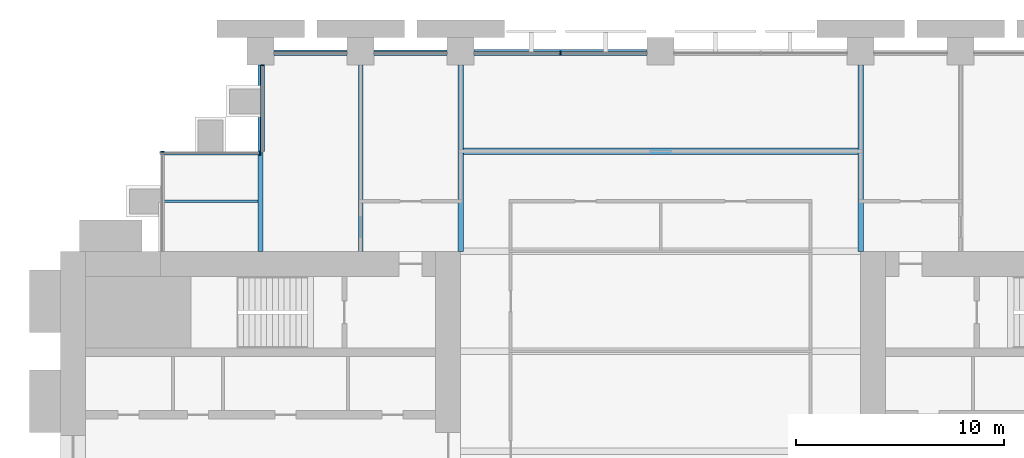
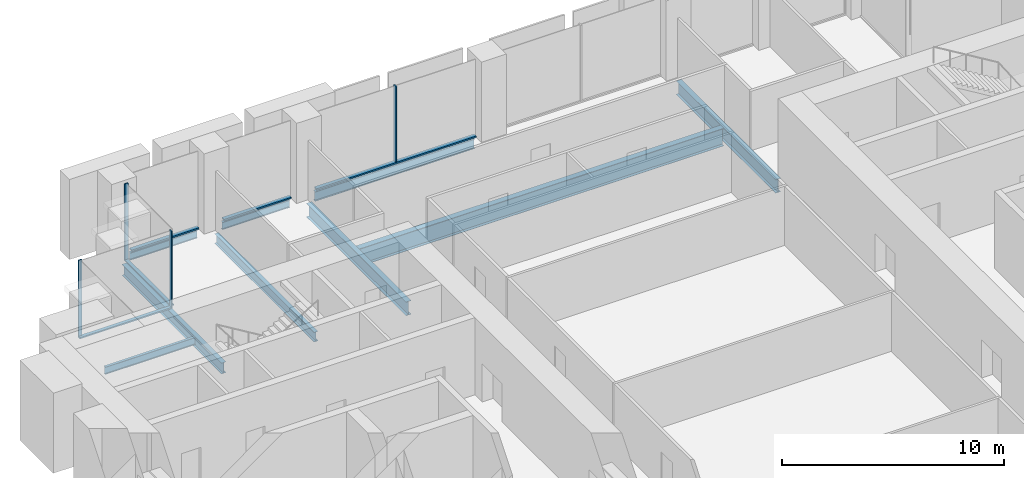
# One storey, part 6 of 14: 9 beams, 9 members, 4 elements without a shape of their own.
"""IFC4 building model written with IfcOpenShell, lengths in metres."""

from ifc_helpers import new_model, si_unit, direction, frame, origin, origin_2d, place, context, subcontext, project, spatial, rectangle, i_section, extrude, material, material_profile, profile_set, type_object, element, aggregate, save


model = new_model("IFC4")

# Units and contexts
model_context = context("Model", 3, precision=1e-05, world=origin(), true_north=direction((0.0, 1.0)))
body_context = subcontext(model_context, "Body", "Model", "MODEL_VIEW")
ifc_project = project(units=[si_unit("LENGTHUNIT", "METRE"), si_unit("AREAUNIT", "SQUARE_METRE"), si_unit("VOLUMEUNIT", "CUBIC_METRE"), si_unit("PLANEANGLEUNIT", "RADIAN"), si_unit("MASSUNIT", "GRAM", prefix="KILO")], contexts=[model_context])

# Site, building, storey
site_placement = place(None, origin())
site = spatial("IfcSite", under=ifc_project, at=site_placement, CompositionType="ELEMENT")
building_placement = place(site_placement, origin())
building = spatial("IfcBuilding", under=site, at=building_placement, Name="Baori Bourse Tower", CompositionType="ELEMENT")
storey_placement = place(building_placement, frame((0.0, 0.0, 30.199951171875)))
storey = spatial("IfcBuildingStorey", under=building, at=storey_placement, Name="L05", CompositionType="ELEMENT", Elevation=30.199951171875)

# Curtain wall, members
ifc_material_1 = material(Name="Pale anodised aluminium", Category="aluminium")
curtain_wall_type_1 = type_object("IfcCurtainWallType", Name="CW1 Curtain wall", PredefinedType="NOTDEFINED", material=ifc_material_1)
curtain_wall_1_placement = place(storey_placement, origin())
curtain_wall_1 = element("IfcCurtainWall", 1, at=curtain_wall_1_placement, inside=storey, type_object=curtain_wall_type_1, Name="Curtain wall CW1 L05 4", PredefinedType="NOTDEFINED")
ifc_material_2 = material(Name="Pale anodised aluminium", Category="aluminium")
ifc_material_profile_1 = material_profile(ifc_material_2, rectangle(XDim=0.199951171875, YDim=0.06005859375, at=origin_2d()), Name="Mullion 60x200")
ifc_profile_set_1 = profile_set([ifc_material_profile_1], Name="Pale anodised aluminium")
member_type_1 = type_object("IfcMemberType", Name="CW1 Curtain wall mullion", PredefinedType="MULLION", material=ifc_profile_set_1)
member_1_placement = place(storey_placement, frame((24.0, 47.89990234375, 0.080078125), z_axis=(0.0, 0.0, 1.0), x_axis=(0.0, -1.0, 0.0)))
member_1 = element("IfcMember", 2, at=member_1_placement, type_object=member_type_1, Name="Curtain wall CW1 mullion", PredefinedType="MULLION", context=body_context, shape_type="SweptSolid", body=[
    extrude(rectangle(XDim=0.199951171875, YDim=0.06005859375, at=origin_2d()), origin(), (0.0, 0.0, 1.0), 4.159912109375),
])
ifc_material_3 = material(Name="Pale anodised aluminium", Category="aluminium")
ifc_material_profile_2 = material_profile(ifc_material_3, rectangle(XDim=0.199951171875, YDim=0.080078125, at=origin_2d()), Name="Transom 80x200")
ifc_profile_set_2 = profile_set([ifc_material_profile_2], Name="Pale anodised aluminium")
member_type_2 = type_object("IfcMemberType", Name="CW1 Curtain wall transom", PredefinedType="USERDEFINED", material=ifc_profile_set_2)
member_2_placement = place(storey_placement, frame((28.14990234375, 47.89990234375, 0.0400390625), z_axis=(-1.0, 0.0, 0.0), x_axis=(0.0, -1.0, 0.0)))
member_2 = element("IfcMember", 3, at=member_2_placement, type_object=member_type_2, Name="Curtain wall CW1 sill rail", ObjectType="TRANSOM", PredefinedType="USERDEFINED", context=body_context, shape_type="SweptSolid", body=[
    extrude(rectangle(XDim=0.199951171875, YDim=0.080078125, at=origin_2d()), origin(), (0.0, 0.0, 1.0), 8.2998046875),
])
member_3_placement = place(storey_placement, frame((18.550048828125, 47.89990234375, 0.0400390625), z_axis=(-1.0, 0.0, 0.0), x_axis=(0.0, -1.0, 0.0)))
member_3 = element("IfcMember", 4, at=member_3_placement, type_object=member_type_2, Name="Curtain wall CW1 sill rail", ObjectType="TRANSOM", PredefinedType="USERDEFINED", context=body_context, shape_type="SweptSolid", body=[
    extrude(rectangle(XDim=0.199951171875, YDim=0.080078125, at=origin_2d()), origin(), (0.0, 0.0, 1.0), 3.5),
])
member_4_placement = place(storey_placement, frame((13.75, 47.89990234375, 0.0400390625), z_axis=(-1.0, 0.0, 0.0), x_axis=(0.0, -1.0, 0.0)))
member_4 = element("IfcMember", 5, at=member_4_placement, type_object=member_type_2, Name="Curtain wall CW1 sill rail", ObjectType="TRANSOM", PredefinedType="USERDEFINED", context=body_context, shape_type="SweptSolid", body=[
    extrude(rectangle(XDim=0.199951171875, YDim=0.080078125, at=origin_2d()), origin(), (0.0, 0.0, 1.0), 3.5),
])
aggregate(curtain_wall_1, [member_2, member_1, member_3, member_4])

# Curtain wall, member
ifc_material_4 = material(Name="Pale anodised aluminium", Category="aluminium")
curtain_wall_type_2 = type_object("IfcCurtainWallType", Name="CW2 Curtain wall", PredefinedType="NOTDEFINED", material=ifc_material_4)
curtain_wall_2_placement = place(storey_placement, origin())
curtain_wall_2 = element("IfcCurtainWall", 6, at=curtain_wall_2_placement, inside=storey, type_object=curtain_wall_type_2, Name="Curtain wall CW2 L05 5", PredefinedType="NOTDEFINED")
ifc_material_5 = material(Name="Pale anodised aluminium", Category="aluminium")
ifc_material_profile_3 = material_profile(ifc_material_5, rectangle(XDim=0.179931640625, YDim=0.054931640625, at=origin_2d()), Name="Mullion 55x180")
ifc_profile_set_3 = profile_set([ifc_material_profile_3], Name="Pale anodised aluminium")
member_type_3 = type_object("IfcMemberType", Name="CW2 Curtain wall mullion", PredefinedType="MULLION", material=ifc_profile_set_3)
member_5_placement = place(storey_placement, frame((9.68994140625, 47.322509765625, 0.070068359375), z_axis=(0.0, 0.0, 1.0), x_axis=(1.0, 0.0, 0.0)))
member_5 = element("IfcMember", 7, at=member_5_placement, type_object=member_type_3, Name="Curtain wall CW2 mullion", PredefinedType="MULLION", context=body_context, shape_type="SweptSolid", body=[
    extrude(rectangle(XDim=0.179931640625, YDim=0.054931640625, at=origin_2d()), origin(), (0.0, 0.0, 1.0), 4.169921875),
])

curtain_wall_3_placement = place(storey_placement, origin())
curtain_wall_3 = element("IfcCurtainWall", 8, at=curtain_wall_3_placement, inside=storey, type_object=curtain_wall_type_2, Name="Curtain wall CW2 L05 6", PredefinedType="NOTDEFINED")
member_6_placement = place(storey_placement, frame((9.572509765625, 43.110107421875, 0.070068359375), z_axis=(0.0, 0.0, 1.0), x_axis=(0.0, -1.0, 0.0)))
member_6 = element("IfcMember", 9, at=member_6_placement, type_object=member_type_3, Name="Curtain wall CW2 mullion", PredefinedType="MULLION", context=body_context, shape_type="SweptSolid", body=[
    extrude(rectangle(XDim=0.179931640625, YDim=0.054931640625, at=origin_2d()), origin(), (0.0, 0.0, 1.0), 4.169921875),
])

curtain_wall_4_placement = place(storey_placement, origin())
curtain_wall_4 = element("IfcCurtainWall", 10, at=curtain_wall_4_placement, inside=storey, type_object=curtain_wall_type_2, Name="Curtain wall CW2 L05 7", PredefinedType="NOTDEFINED")
member_7_placement = place(storey_placement, frame((4.889892578125, 43.172607421875, 0.070068359375), z_axis=(0.0, 0.0, 1.0), x_axis=(1.0, 0.0, 0.0)))
member_7 = element("IfcMember", 11, at=member_7_placement, type_object=member_type_3, Name="Curtain wall CW2 mullion", PredefinedType="MULLION", context=body_context, shape_type="SweptSolid", body=[
    extrude(rectangle(XDim=0.179931640625, YDim=0.054931640625, at=origin_2d()), origin(), (0.0, 0.0, 1.0), 4.169921875),
])
aggregate(curtain_wall_4, [member_7])

# Member
ifc_material_6 = material(Name="Pale anodised aluminium", Category="aluminium")
ifc_material_profile_4 = material_profile(ifc_material_6, rectangle(XDim=0.179931640625, YDim=0.070068359375, at=origin_2d()), Name="Transom 70x180")
ifc_profile_set_4 = profile_set([ifc_material_profile_4], Name="Pale anodised aluminium")
member_type_4 = type_object("IfcMemberType", Name="CW2 Curtain wall transom", PredefinedType="USERDEFINED", material=ifc_profile_set_4)
member_8_placement = place(storey_placement, frame((9.68994140625, 47.35009765625, 0.03515625), z_axis=(0.0, -1.0, 0.0), x_axis=(1.0, 0.0, 0.0)))
member_8 = element("IfcMember", 12, at=member_8_placement, type_object=member_type_4, Name="Curtain wall CW2 sill rail", ObjectType="TRANSOM", PredefinedType="USERDEFINED", context=body_context, shape_type="SweptSolid", body=[
    extrude(rectangle(XDim=0.179931640625, YDim=0.070068359375, at=origin_2d()), origin(), (0.0, 0.0, 1.0), 4.150146484375),
])

aggregate(curtain_wall_2, [member_8, member_5])

member_9_placement = place(storey_placement, frame((9.60009765625, 43.110107421875, 0.03515625), z_axis=(-1.0, 0.0, 0.0), x_axis=(0.0, -1.0, 0.0)))
member_9 = element("IfcMember", 13, at=member_9_placement, type_object=member_type_4, Name="Curtain wall CW2 sill rail", ObjectType="TRANSOM", PredefinedType="USERDEFINED", context=body_context, shape_type="SweptSolid", body=[
    extrude(rectangle(XDim=0.179931640625, YDim=0.070068359375, at=origin_2d()), origin(), (0.0, 0.0, 1.0), 4.800048828125),
])

aggregate(curtain_wall_3, [member_9, member_6])

# Beams
ifc_material_7 = material(Name="Steel A992 Gr 50", Category="steel")
ifc_material_profile_5 = material_profile(ifc_material_7, i_section(OverallWidth=0.140380859375, OverallDepth=0.40380859375, WebThickness=0.007080078125, FlangeThickness=0.01123046875, at=origin_2d()), Name="W16x31")
ifc_profile_set_5 = profile_set([ifc_material_profile_5], Name="Steel A992 Gr 50")
beam_type_1 = type_object("IfcBeamType", Name="Edge beam W16x31", PredefinedType="BEAM", material=ifc_profile_set_5)
for number, where, z_axis, x_axis, name in (
    (14, (10.25, 48.0, -0.36181640625), (1.0, 0.0, 0.0), (0.0, 1.0, 0.0), "Edge beam L05"),
    (15, (15.050048828125, 48.0, -0.36181640625), (1.0, 0.0, 0.0), (0.0, 1.0, 0.0), "Edge beam L05"),
):
    element("IfcBeam", number, at=place(storey_placement, frame(where, z_axis=z_axis, x_axis=x_axis)), inside=storey, type_object=beam_type_1, Name=name, PredefinedType="BEAM", context=body_context, shape_type="SweptSolid", body=[
        extrude(i_section(OverallWidth=0.140380859375, OverallDepth=0.40380859375, WebThickness=0.007080078125, FlangeThickness=0.01123046875, at=origin_2d()), origin(), (0.0, 0.0, 1.0), 3.5),
    ])
ifc_material_8 = material(Name="Steel A992 Gr 50", Category="steel")
ifc_material_profile_6 = material_profile(ifc_material_8, i_section(OverallWidth=0.1650390625, OverallDepth=0.52587890625, WebThickness=0.0087890625, FlangeThickness=0.011474609375, at=origin_2d()), Name="W21x44")
ifc_profile_set_6 = profile_set([ifc_material_profile_6], Name="Steel A992 Gr 50")
beam_type_2 = type_object("IfcBeamType", Name="Edge beam W21x44", PredefinedType="BEAM", material=ifc_profile_set_6)
beam_1_placement = place(storey_placement, frame((19.85009765625, 48.0, -0.4228515625), z_axis=(1.0, 0.0, 0.0), x_axis=(0.0, 1.0, 0.0)))
element("IfcBeam", 16, at=beam_1_placement, inside=storey, type_object=beam_type_2, Name="Edge beam L05", PredefinedType="BEAM", context=body_context, shape_type="SweptSolid", body=[
    extrude(i_section(OverallWidth=0.1650390625, OverallDepth=0.52587890625, WebThickness=0.0087890625, FlangeThickness=0.011474609375, at=origin_2d()), origin(), (0.0, 0.0, 1.0), 8.2998046875),
])
ifc_material_9 = material(Name="Steel A992 Gr 50", Category="steel")
ifc_material_profile_7 = material_profile(ifc_material_9, i_section(OverallWidth=0.209228515625, OverallDepth=0.533447265625, WebThickness=0.01025390625, FlangeThickness=0.015625, at=origin_2d()), Name="W21x62")
ifc_profile_set_7 = profile_set([ifc_material_profile_7], Name="Steel A992 Gr 50")
beam_type_3 = type_object("IfcBeamType", Name="Floor beam W21x62", PredefinedType="BEAM", material=ifc_profile_set_7)
beam_2_placement = place(storey_placement, frame((14.39990234375, 38.39990234375, -0.4267578125), z_axis=(0.0, 1.0, 0.0), x_axis=(-1.0, 0.0, 0.0)))
element("IfcBeam", 17, at=beam_2_placement, inside=storey, type_object=beam_type_3, Name="Floor beam L05", PredefinedType="BEAM", context=body_context, shape_type="SweptSolid", body=[
    extrude(i_section(OverallWidth=0.209228515625, OverallDepth=0.533447265625, WebThickness=0.01025390625, FlangeThickness=0.015625, at=origin_2d()), origin(), (0.0, 0.0, 1.0), 8.9501953125),
])
ifc_material_10 = material(Name="Steel A992 Gr 50", Category="steel")
ifc_material_profile_8 = material_profile(ifc_material_10, i_section(OverallWidth=0.227783203125, OverallDepth=0.60205078125, WebThickness=0.010498046875, FlangeThickness=0.014892578125, at=origin_2d()), Name="W24x68")
ifc_profile_set_8 = profile_set([ifc_material_profile_8], Name="Steel A992 Gr 50")
beam_type_4 = type_object("IfcBeamType", Name="Floor beam W24x68", PredefinedType="BEAM", material=ifc_profile_set_8)
beam_3_placement = place(storey_placement, frame((9.60009765625, 38.39990234375, -0.4609375), z_axis=(0.0, 1.0, 0.0), x_axis=(-1.0, 0.0, 0.0)))
element("IfcBeam", 18, at=beam_3_placement, inside=storey, type_object=beam_type_4, Name="Floor beam L05", PredefinedType="BEAM", context=body_context, shape_type="SweptSolid", body=[
    extrude(i_section(OverallWidth=0.227783203125, OverallDepth=0.60205078125, WebThickness=0.010498046875, FlangeThickness=0.014892578125, at=origin_2d()), origin(), (0.0, 0.0, 1.0), 8.9501953125),
])
ifc_material_11 = material(Name="Steel A992 Gr 50", Category="steel")
ifc_material_profile_9 = material_profile(ifc_material_11, i_section(OverallWidth=0.2998046875, OverallDepth=0.97021484375, WebThickness=0.01611328125, FlangeThickness=0.02099609375, at=origin_2d()), Name="W40x149")
ifc_profile_set_9 = profile_set([ifc_material_profile_9], Name="Steel A992 Gr 50")
beam_type_5 = type_object("IfcBeamType", Name="Floor beam W40x149", PredefinedType="BEAM", material=ifc_profile_set_9)
beam_4_placement = place(storey_placement, frame((19.333251953125, 43.199951171875, -0.64501953125), z_axis=(1.0, 0.0, 0.0), x_axis=(0.0, 1.0, 0.0)))
element("IfcBeam", 19, at=beam_4_placement, inside=storey, type_object=beam_type_5, Name="Floor beam L05", PredefinedType="BEAM", context=body_context, shape_type="SweptSolid", body=[
    extrude(i_section(OverallWidth=0.2998046875, OverallDepth=0.97021484375, WebThickness=0.01611328125, FlangeThickness=0.02099609375, at=origin_2d()), origin(), (0.0, 0.0, 1.0), 18.933349609375),
])
ifc_material_12 = material(Name="Steel A992 Gr 50", Category="steel")
ifc_material_profile_10 = material_profile(ifc_material_12, i_section(OverallWidth=0.2666015625, OverallDepth=0.7568359375, WebThickness=0.013916015625, FlangeThickness=0.019287109375, at=origin_2d()), Name="W30x108")
ifc_profile_set_10 = profile_set([ifc_material_profile_10], Name="Steel A992 Gr 50")
beam_type_6 = type_object("IfcBeamType", Name="Girder W30x108", PredefinedType="BEAM", material=ifc_profile_set_10)
for number, where, z_axis, x_axis, name in (
    (20, (19.199951171875, 38.39990234375, -0.538330078125), (0.0, 1.0, 0.0), (-1.0, 0.0, 0.0), "Girder L05"),
    (21, (38.39990234375, 38.39990234375, -0.538330078125), (0.0, 1.0, 0.0), (-1.0, 0.0, 0.0), "Girder L05"),
):
    element("IfcBeam", number, at=place(storey_placement, frame(where, z_axis=z_axis, x_axis=x_axis)), inside=storey, type_object=beam_type_6, Name=name, PredefinedType="BEAM", context=body_context, shape_type="SweptSolid", body=[
        extrude(i_section(OverallWidth=0.2666015625, OverallDepth=0.7568359375, WebThickness=0.013916015625, FlangeThickness=0.019287109375, at=origin_2d()), origin(), (0.0, 0.0, 1.0), 8.9501953125),
    ])
ifc_material_13 = material(Name="Steel A992 Gr 50", Category="steel")
ifc_material_profile_11 = material_profile(ifc_material_13, i_section(OverallWidth=0.140380859375, OverallDepth=0.40380859375, WebThickness=0.007080078125, FlangeThickness=0.01123046875, at=origin_2d()), Name="W16x31")
ifc_profile_set_11 = profile_set([ifc_material_profile_11], Name="Steel A992 Gr 50")
beam_type_7 = type_object("IfcBeamType", Name="Trimmer beam W16x31", PredefinedType="BEAM", material=ifc_profile_set_11)
beam_5_placement = place(storey_placement, frame((4.800048828125, 40.800048828125, -0.36181640625), z_axis=(1.0, 0.0, 0.0), x_axis=(0.0, 1.0, 0.0)))
element("IfcBeam", 22, at=beam_5_placement, inside=storey, type_object=beam_type_7, Name="Trimmer beam L05", PredefinedType="BEAM", context=body_context, shape_type="SweptSolid", body=[
    extrude(i_section(OverallWidth=0.140380859375, OverallDepth=0.40380859375, WebThickness=0.007080078125, FlangeThickness=0.01123046875, at=origin_2d()), origin(), (0.0, 0.0, 1.0), 4.68603515625),
])

save(model, "model.ifc")
